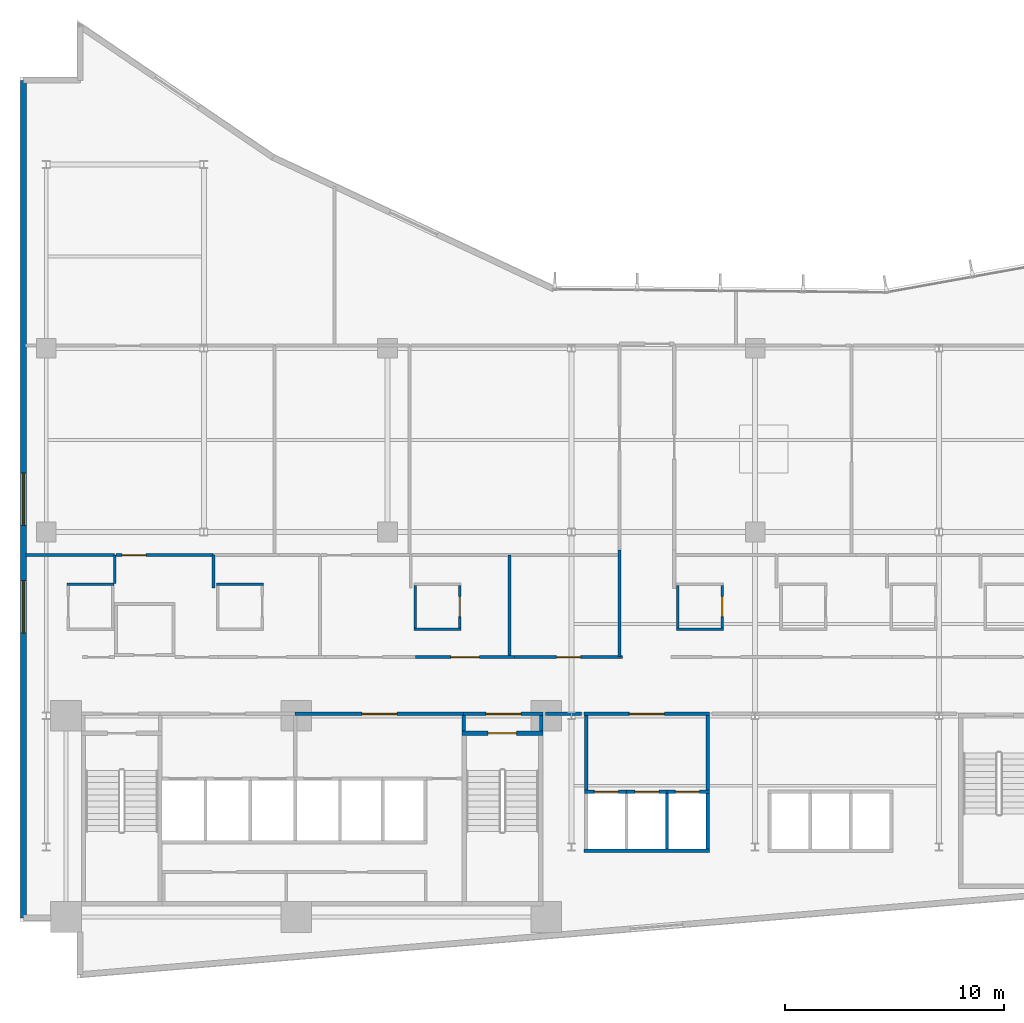
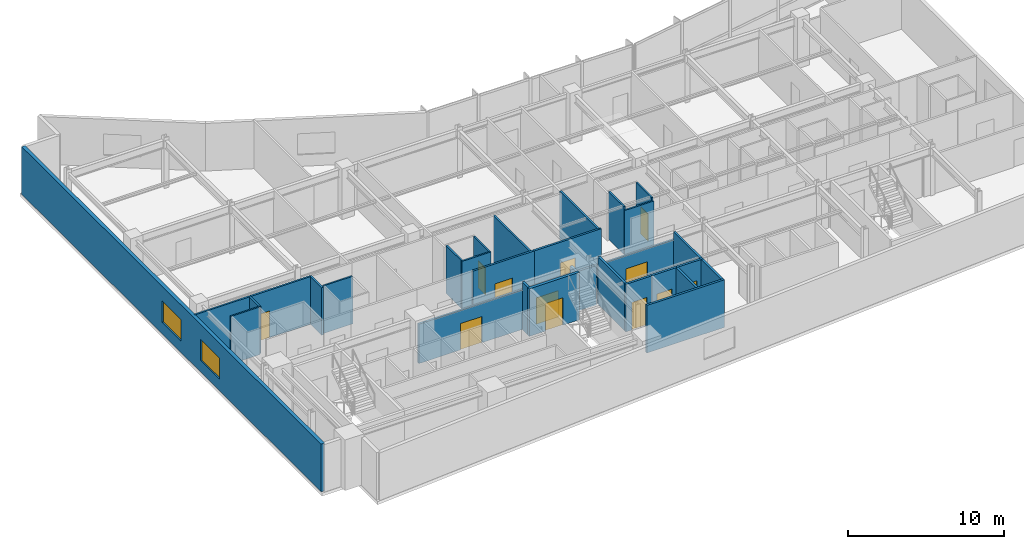
# One storey, part 11 of 19: 32 walls, 12 doors, 2 windows, 14 openings.
"""IFC4 building model written with IfcOpenShell, lengths in metres."""

from ifc_helpers import new_model, si_unit, direction, frame, frame_2d, origin, place, context, subcontext, project, spatial, rectangle, extrude, material, layer, layer_set, type_object, element, fill, save


model = new_model("IFC4")

# Units and contexts
model_context = context("Model", 3, precision=1e-05, world=origin(), true_north=direction((0.0, 1.0)))
body_context = subcontext(model_context, "Body", "Model", "MODEL_VIEW")
ifc_project = project(units=[si_unit("LENGTHUNIT", "METRE"), si_unit("AREAUNIT", "SQUARE_METRE"), si_unit("VOLUMEUNIT", "CUBIC_METRE"), si_unit("PLANEANGLEUNIT", "RADIAN"), si_unit("MASSUNIT", "GRAM", prefix="KILO")], contexts=[model_context])

# Site, building, storey
site_placement = place(None, origin())
site = spatial("IfcSite", under=ifc_project, at=site_placement, CompositionType="ELEMENT")
building_placement = place(site_placement, origin())
building = spatial("IfcBuilding", under=site, at=building_placement, Name="Varnakote Quay Hospital", CompositionType="ELEMENT")
storey_placement = place(building_placement, frame((0.0, 0.0, 54.10009765625)))
storey = spatial("IfcBuildingStorey", under=building, at=storey_placement, Name="L13", CompositionType="ELEMENT", Elevation=54.10009765625)

# Wall, opening, door
ifc_material_1 = material(Name="Fire-rated acoustic gypsum stud wall", Category="gypsum")
ifc_layer_1 = layer(ifc_material_1, 0.159912109375)
ifc_layer_set_1 = layer_set([ifc_layer_1], Name="Fire-rated acoustic gypsum stud wall")
wall_type_1 = type_object("IfcWallType", Name="WL-COMP-160", PredefinedType="PARTITIONING", material=ifc_layer_set_1)
wall_1_placement = place(storey_placement, frame((12.580078125, 12.080078125, 0.0), z_axis=(0.0, 0.0, 1.0), x_axis=(1.0, 0.0, 0.0)))
wall_1 = element("IfcWall", 1, at=wall_1_placement, inside=storey, type_object=wall_type_1, Name="L13 Clinical Bed Lift Lobby Wall", PredefinedType="PARTITIONING", context=body_context, shape_type="SweptSolid", body=[
    extrude(rectangle(XDim=7.699951171875, YDim=0.159912109375, at=frame_2d((3.85009765625, 0.0))), origin(), (0.0, 0.0, 1.0), 3.072998046875),
])
opening_1_placement = place(wall_1_placement, frame((3.050048828125, 0.0, 0.0)))
opening_1 = element("IfcOpeningElement", 2, at=opening_1_placement, cuts=wall_1, Name="Opening D-SVL-L13", PredefinedType="OPENING", context=body_context, shape_type="SweptSolid", body=[
    extrude(rectangle(XDim=1.60009765625, YDim=2.050048828125, at=frame_2d((0.800048828125, 1.02490234375))), frame((0.0, 0.08984375, 0.0), z_axis=(0.0, -1.0, 0.0), x_axis=(1.0, 0.0, 0.0)), (0.0, 0.0, 1.0), 0.179931640625),
])
ifc_material_2 = material(Name="Fire-rated double smoke lobby door")
door_type_1 = type_object("IfcDoorType", Name="DR-LOBBY-FD60S-1600x2150", OperationType="NOTDEFINED", PredefinedType="DOOR", material=ifc_material_2)
door_1_placement = place(opening_1_placement, origin())
door_1 = element("IfcDoor", 3, at=door_1_placement, inside=storey, type_object=door_type_1, Name="L13 Clinical Core Smoke Vestibule Door", OperationType="DOUBLE_DOOR_SINGLE_SWING", OverallHeight=2.050048828125, OverallWidth=1.60009765625, PredefinedType="DOOR", context=body_context, shape_type="SweptSolid", body=[
    extrude(rectangle(XDim=1.60009765625, YDim=2.050048828125, at=frame_2d((0.800048828125, 1.02490234375))), frame((0.0, 0.02490234375, 0.0), z_axis=(0.0, -1.0, 0.0), x_axis=(1.0, 0.0, 0.0)), (0.0, 0.0, 1.0), 0.050048828125),
])
fill(opening_1, door_1)

# Wall
wall_2_placement = place(storey_placement, frame((20.280029296875, 11.300048828125, 0.0), z_axis=(0.0, 0.0, 1.0), x_axis=(0.0, 1.0, 0.0)))
element("IfcWall", 4, at=wall_2_placement, inside=storey, type_object=wall_type_1, Name="L13 East Stair Vestibule Divider Wall", PredefinedType="PARTITIONING", context=body_context, shape_type="SweptSolid", body=[
    extrude(rectangle(XDim=0.699951171875, YDim=0.159912109375, at=frame_2d((0.35009765625, 0.0))), origin(), (0.0, 0.0, 1.0), 3.7099609375),
])

# Wall, opening, door
wall_3_placement = place(storey_placement, frame((20.280029296875, 12.080078125, 0.0), z_axis=(0.0, 0.0, 1.0), x_axis=(1.0, 0.0, 0.0)))
wall_3 = element("IfcWall", 5, at=wall_3_placement, inside=storey, type_object=wall_type_1, Name="L13 East Stair Vestibule Smoke Wall", PredefinedType="PARTITIONING", context=body_context, shape_type="SweptSolid", body=[
    extrude(rectangle(XDim=3.619873046875, YDim=0.159912109375, at=frame_2d((1.81005859375, 0.0))), origin(), (0.0, 0.0, 1.0), 3.072998046875),
])
opening_2_placement = place(wall_3_placement, frame((1.010009765625, 0.0, 0.0)))
opening_2 = element("IfcOpeningElement", 6, at=opening_2_placement, cuts=wall_3, Name="Opening D-ST2L-L13", PredefinedType="OPENING", context=body_context, shape_type="SweptSolid", body=[
    extrude(rectangle(XDim=1.60009765625, YDim=2.050048828125, at=frame_2d((0.800048828125, 1.02490234375))), frame((0.0, 0.08984375, 0.0), z_axis=(0.0, -1.0, 0.0), x_axis=(1.0, 0.0, 0.0)), (0.0, 0.0, 1.0), 0.179931640625),
])
door_2_placement = place(opening_2_placement, origin())
door_2 = element("IfcDoor", 7, at=door_2_placement, inside=storey, type_object=door_type_1, Name="L13 East Stair Vestibule Smoke Door", OperationType="DOUBLE_DOOR_SINGLE_SWING", OverallHeight=2.050048828125, OverallWidth=1.60009765625, PredefinedType="DOOR", context=body_context, shape_type="SweptSolid", body=[
    extrude(rectangle(XDim=1.60009765625, YDim=2.050048828125, at=frame_2d((0.800048828125, 1.02490234375))), frame((0.0, 0.02490234375, 0.0), z_axis=(0.0, -1.0, 0.0), x_axis=(1.0, 0.0, 0.0)), (0.0, 0.0, 1.0), 0.050048828125),
])
fill(opening_2, door_2)

# Walls
wall_4_placement = place(storey_placement, frame((23.820068359375, 11.300048828125, 0.0), z_axis=(0.0, 0.0, 1.0), x_axis=(0.0, 1.0, 0.0)))
element("IfcWall", 8, at=wall_4_placement, inside=storey, type_object=wall_type_1, Name="L13 East Stair Vestibule East Wall", PredefinedType="PARTITIONING", context=body_context, shape_type="SweptSolid", body=[
    extrude(rectangle(XDim=0.699951171875, YDim=0.159912109375, at=frame_2d((0.35009765625, 0.0))), origin(), (0.0, 0.0, 1.0), 3.7099609375),
])
for number, where, z_axis, x_axis, name in (
    (9, (25.8701171875, 8.610107421875, 0.0), (0.0, 0.0, 1.0), (0.0, 1.0, 0.0), "L13 Low-Rise Lift Lobby West Wall"),
    (10, (31.429931640625, 8.610107421875, 0.0), (0.0, 0.0, 1.0), (0.0, 1.0, 0.0), "L13 Low-Rise Lift Lobby East Wall"),
):
    element("IfcWall", number, at=place(storey_placement, frame(where, z_axis=z_axis, x_axis=x_axis)), inside=storey, type_object=wall_type_1, Name=name, PredefinedType="PARTITIONING", context=body_context, shape_type="SweptSolid", body=[
        extrude(rectangle(XDim=3.389892578125, YDim=0.159912109375, at=frame_2d((1.69482421875, 0.0))), origin(), (0.0, 0.0, 1.0), 3.7099609375),
    ])

# Wall, opening, door
wall_5_placement = place(storey_placement, frame((25.7900390625, 12.080078125, 0.0), z_axis=(0.0, 0.0, 1.0), x_axis=(1.0, 0.0, 0.0)))
wall_5 = element("IfcWall", 11, at=wall_5_placement, inside=storey, type_object=wall_type_1, Name="L13 Low-Rise Lift Lobby North Wall", PredefinedType="PARTITIONING", context=body_context, shape_type="SweptSolid", body=[
    extrude(rectangle(XDim=5.719970703125, YDim=0.159912109375, at=frame_2d((2.85986328125, 0.0))), origin(), (0.0, 0.0, 1.0), 3.072998046875),
])
opening_3_placement = place(wall_5_placement, frame((2.06005859375, 0.0, 0.0)))
opening_3 = element("IfcOpeningElement", 12, at=opening_3_placement, cuts=wall_5, Name="Opening D-PLL-L13", PredefinedType="OPENING", context=body_context, shape_type="SweptSolid", body=[
    extrude(rectangle(XDim=1.60009765625, YDim=2.050048828125, at=frame_2d((0.800048828125, 1.02490234375))), frame((0.0, 0.08984375, 0.0), z_axis=(0.0, -1.0, 0.0), x_axis=(1.0, 0.0, 0.0)), (0.0, 0.0, 1.0), 0.179931640625),
])
door_3_placement = place(opening_3_placement, origin())
door_3 = element("IfcDoor", 13, at=door_3_placement, inside=storey, type_object=door_type_1, Name="L13 Low-Rise Passenger Concourse Vestibule Door", OperationType="DOUBLE_DOOR_SINGLE_SWING", OverallHeight=2.050048828125, OverallWidth=1.60009765625, PredefinedType="DOOR", context=body_context, shape_type="SweptSolid", body=[
    extrude(rectangle(XDim=1.60009765625, YDim=2.050048828125, at=frame_2d((0.800048828125, 1.02490234375))), frame((0.0, 0.02490234375, 0.0), z_axis=(0.0, -1.0, 0.0), x_axis=(1.0, 0.0, 0.0)), (0.0, 0.0, 1.0), 0.050048828125),
])
fill(opening_3, door_3)

# Walls
wall_6_placement = place(storey_placement, frame((24.02001953125, 12.080078125, 0.0), z_axis=(0.0, 0.0, 1.0), x_axis=(1.0, 0.0, 0.0)))
element("IfcWall", 14, at=wall_6_placement, inside=storey, type_object=wall_type_1, Name="L13 Corridor South Gap Wall", PredefinedType="PARTITIONING", context=body_context, shape_type="SweptSolid", body=[
    extrude(rectangle(XDim=1.64990234375, YDim=0.159912109375, at=frame_2d((0.824951171875, 0.0))), origin(), (0.0, 0.0, 1.0), 3.072998046875),
])
ifc_material_3 = material(Name="Moisture-resistant bathroom partition", Category="gypsum")
ifc_layer_2 = layer(ifc_material_3, 0.114990234375)
ifc_layer_set_2 = layer_set([ifc_layer_2], Name="Moisture-resistant bathroom partition")
wall_type_2 = type_object("IfcWallType", Name="WL-ENS-115", PredefinedType="PARTITIONING", material=ifc_layer_set_2)
for number, where, z_axis, x_axis, name in (
    (15, (2.155029296875, 18.017578125, 0.0), (0.0, 0.0, 1.0), (1.0, 0.0, 0.0), "L13 Inpatient En-Suite Bathroom 01 N Wall"),
    (16, (8.985107421875, 18.017578125, 0.0), (0.0, 0.0, 1.0), (1.0, 0.0, 0.0), "L13 Inpatient En-Suite Bathroom 02 N Wall"),
):
    element("IfcWall", number, at=place(storey_placement, frame(where, z_axis=z_axis, x_axis=x_axis)), inside=storey, type_object=wall_type_2, Name=name, PredefinedType="PARTITIONING", context=body_context, shape_type="SweptSolid", body=[
        extrude(rectangle(XDim=2.14990234375, YDim=0.114990234375, at=frame_2d((1.074951171875, 0.0))), origin(), (0.0, 0.0, 1.0), 3.7099609375),
    ])
wall_7_placement = place(storey_placement, frame((18.0048828125, 15.952392578125, 0.0), z_axis=(0.0, 0.0, 1.0), x_axis=(1.0, 0.0, 0.0)))
element("IfcWall", 17, at=wall_7_placement, inside=storey, type_object=wall_type_2, Name="L13 Inpatient En-Suite Bathroom 03 S Wall", PredefinedType="PARTITIONING", context=body_context, shape_type="SweptSolid", body=[
    extrude(rectangle(XDim=2.150146484375, YDim=0.114990234375, at=frame_2d((1.0751953125, 0.0))), origin(), (0.0, 0.0, 1.0), 3.7099609375),
])
wall_8_placement = place(storey_placement, frame((18.0625, 16.010009765625, 0.0), z_axis=(0.0, 0.0, 1.0), x_axis=(0.0, 1.0, 0.0)))
element("IfcWall", 18, at=wall_8_placement, inside=storey, type_object=wall_type_2, Name="L13 Inpatient En-Suite Bathroom 03 W Wall", PredefinedType="PARTITIONING", context=body_context, shape_type="SweptSolid", body=[
    extrude(rectangle(XDim=1.949951171875, YDim=0.114990234375, at=frame_2d((0.97509765625, 0.0))), origin(), (0.0, 0.0, 1.0), 3.7099609375),
])

# Wall, opening, door
wall_9_placement = place(storey_placement, frame((20.097412109375, 16.010009765625, 0.0), z_axis=(0.0, 0.0, 1.0), x_axis=(0.0, 1.0, 0.0)))
wall_9 = element("IfcWall", 19, at=wall_9_placement, inside=storey, type_object=wall_type_2, Name="L13 Inpatient En-Suite Bathroom 03 E Wall", PredefinedType="PARTITIONING", context=body_context, shape_type="SweptSolid", body=[
    extrude(rectangle(XDim=1.949951171875, YDim=0.114990234375, at=frame_2d((0.97509765625, 0.0))), origin(), (0.0, 0.0, 1.0), 3.7099609375),
])
opening_4_placement = place(wall_9_placement, frame((0.514892578125, 0.0, 0.0)))
opening_4 = element("IfcOpeningElement", 20, at=opening_4_placement, cuts=wall_9, Name="Opening D-L13-ENS03", PredefinedType="OPENING", context=body_context, shape_type="SweptSolid", body=[
    extrude(rectangle(XDim=0.919921875, YDim=2.10009765625, at=frame_2d((0.4599609375, 1.050048828125))), frame((0.0, 0.0673828125, 0.0), z_axis=(0.0, -1.0, 0.0), x_axis=(1.0, 0.0, 0.0)), (0.0, 0.0, 1.0), 0.135009765625),
])
ifc_material_4 = material(Name="Moisture-sealed en-suite bathroom door")
door_type_2 = type_object("IfcDoorType", Name="DR-ENS-920x2100", OperationType="NOTDEFINED", PredefinedType="DOOR", material=ifc_material_4)
door_4_placement = place(opening_4_placement, origin())
door_4 = element("IfcDoor", 21, at=door_4_placement, inside=storey, type_object=door_type_2, Name="L13 Inpatient En-Suite Bathroom 03 Door", OperationType="SINGLE_SWING_RIGHT", OverallHeight=2.10009765625, OverallWidth=0.919921875, PredefinedType="DOOR", context=body_context, shape_type="SweptSolid", body=[
    extrude(rectangle(XDim=0.919921875, YDim=2.10009765625, at=frame_2d((0.4599609375, 1.050048828125))), frame((0.0, 0.02490234375, 0.0), z_axis=(0.0, -1.0, 0.0), x_axis=(1.0, 0.0, 0.0)), (0.0, 0.0, 1.0), 0.050048828125),
])
fill(opening_4, door_4)

# Walls
wall_10_placement = place(storey_placement, frame((30.0048828125, 15.952392578125, 0.0), z_axis=(0.0, 0.0, 1.0), x_axis=(1.0, 0.0, 0.0)))
element("IfcWall", 22, at=wall_10_placement, inside=storey, type_object=wall_type_2, Name="L13 Inpatient En-Suite Bathroom 04 S Wall", PredefinedType="PARTITIONING", context=body_context, shape_type="SweptSolid", body=[
    extrude(rectangle(XDim=2.150146484375, YDim=0.114990234375, at=frame_2d((1.0751953125, 0.0))), origin(), (0.0, 0.0, 1.0), 3.477783203125),
])
wall_11_placement = place(storey_placement, frame((30.0625, 16.010009765625, 0.0), z_axis=(0.0, 0.0, 1.0), x_axis=(0.0, 1.0, 0.0)))
element("IfcWall", 23, at=wall_11_placement, inside=storey, type_object=wall_type_2, Name="L13 Inpatient En-Suite Bathroom 04 W Wall", PredefinedType="PARTITIONING", context=body_context, shape_type="SweptSolid", body=[
    extrude(rectangle(XDim=1.949951171875, YDim=0.114990234375, at=frame_2d((0.97509765625, 0.0))), origin(), (0.0, 0.0, 1.0), 3.7099609375),
])

# Wall, opening, door
wall_12_placement = place(storey_placement, frame((32.097412109375, 16.010009765625, 0.0), z_axis=(0.0, 0.0, 1.0), x_axis=(0.0, 1.0, 0.0)))
wall_12 = element("IfcWall", 24, at=wall_12_placement, inside=storey, type_object=wall_type_2, Name="L13 Inpatient En-Suite Bathroom 04 E Wall", PredefinedType="PARTITIONING", context=body_context, shape_type="SweptSolid", body=[
    extrude(rectangle(XDim=1.949951171875, YDim=0.114990234375, at=frame_2d((0.97509765625, 0.0))), origin(), (0.0, 0.0, 1.0), 3.7099609375),
])
opening_5_placement = place(wall_12_placement, frame((0.514892578125, 0.0, 0.0)))
opening_5 = element("IfcOpeningElement", 25, at=opening_5_placement, cuts=wall_12, Name="Opening D-L13-ENS04", PredefinedType="OPENING", context=body_context, shape_type="SweptSolid", body=[
    extrude(rectangle(XDim=0.919921875, YDim=2.10009765625, at=frame_2d((0.4599609375, 1.050048828125))), frame((0.0, 0.0673828125, 0.0), z_axis=(0.0, -1.0, 0.0), x_axis=(1.0, 0.0, 0.0)), (0.0, 0.0, 1.0), 0.135009765625),
])
door_5_placement = place(opening_5_placement, origin())
door_5 = element("IfcDoor", 26, at=door_5_placement, inside=storey, type_object=door_type_2, Name="L13 Inpatient En-Suite Bathroom 04 Door", OperationType="SINGLE_SWING_LEFT", OverallHeight=2.10009765625, OverallWidth=0.919921875, PredefinedType="DOOR", context=body_context, shape_type="SweptSolid", body=[
    extrude(rectangle(XDim=0.919921875, YDim=2.10009765625, at=frame_2d((0.4599609375, 1.050048828125))), frame((0.0, 0.02490234375, 0.0), z_axis=(0.0, -1.0, 0.0), x_axis=(1.0, 0.0, 0.0)), (0.0, 0.0, 1.0), 0.050048828125),
])
fill(opening_5, door_5)

# Wall, openings, windows
ifc_material_5 = material(Name="Precast concrete N50 (f'c 50 MPa)", Category="concrete")
ifc_layer_3 = layer(ifc_material_5, 0.260009765625)
ifc_layer_set_3 = layer_set([ifc_layer_3], Name="Precast concrete N50 (f'c 50 MPa)")
wall_type_3 = type_object("IfcWallType", Name="WL-EXT-BRICK-260", PredefinedType="STANDARD", material=ifc_layer_set_3)
wall_13_placement = place(storey_placement, frame((0.159912109375, 41.0400390625, 0.0), z_axis=(0.0, 0.0, 1.0), x_axis=(0.0, -1.0, 0.0)))
wall_13 = element("IfcWall", 27, at=wall_13_placement, inside=storey, type_object=wall_type_3, Name="L13 Brick-Faced Precast Exterior Wall", PredefinedType="STANDARD", context=body_context, shape_type="SweptSolid", body=[
    extrude(rectangle(XDim=38.280029296875, YDim=0.260009765625, at=frame_2d((19.14013671875, 0.0))), origin(), (0.0, 0.0, 1.0), 3.7099609375),
])
opening_6_placement = place(wall_13_placement, frame((17.93994140625, 0.0, 0.89990234375)))
opening_6 = element("IfcOpeningElement", 28, at=opening_6_placement, cuts=wall_13, Name="Opening WN-0069", PredefinedType="OPENING", context=body_context, shape_type="SweptSolid", body=[
    extrude(rectangle(XDim=2.39990234375, YDim=1.64990234375, at=frame_2d((1.199951171875, 0.824951171875))), frame((0.0, 0.139892578125, 0.0), z_axis=(0.0, -1.0, 0.0), x_axis=(1.0, 0.0, 0.0)), (0.0, 0.0, 1.0), 0.280029296875),
])
opening_7_placement = place(wall_13_placement, frame((22.868896484375, 0.0, 0.89990234375)))
opening_7 = element("IfcOpeningElement", 29, at=opening_7_placement, cuts=wall_13, Name="Opening WN-0307", PredefinedType="OPENING", context=body_context, shape_type="SweptSolid", body=[
    extrude(rectangle(XDim=2.39990234375, YDim=1.64990234375, at=frame_2d((1.199951171875, 0.824951171875))), frame((0.0, 0.139892578125, 0.0), z_axis=(0.0, -1.0, 0.0), x_axis=(1.0, 0.0, 0.0)), (0.0, 0.0, 1.0), 0.280029296875),
])
ifc_material_6 = material(Name="Double-glazed low-E solar glass", Category="glass")
window_type = type_object("IfcWindowType", Name="WIN-CLIN-2400x1650", PartitioningType="SINGLE_PANEL", PredefinedType="WINDOW", material=ifc_material_6)
window_1_placement = place(opening_6_placement, origin())
window_1 = element("IfcWindow", 30, at=window_1_placement, inside=storey, type_object=window_type, Name="L13 Solar-Control Clinical Window", OverallHeight=1.64990234375, OverallWidth=2.39990234375, PartitioningType="SINGLE_PANEL", PredefinedType="WINDOW", context=body_context, shape_type="SweptSolid", body=[
    extrude(rectangle(XDim=2.39990234375, YDim=1.64990234375, at=frame_2d((1.199951171875, 0.824951171875))), frame((0.0, 0.030029296875, 0.0), z_axis=(0.0, -1.0, 0.0), x_axis=(1.0, 0.0, 0.0)), (0.0, 0.0, 1.0), 0.06005859375),
])
fill(opening_6, window_1)
window_2_placement = place(opening_7_placement, origin())
window_2 = element("IfcWindow", 31, at=window_2_placement, inside=storey, type_object=window_type, Name="L13 Solar-Control Clinical Window", OverallHeight=1.64990234375, OverallWidth=2.39990234375, PartitioningType="SINGLE_PANEL", PredefinedType="WINDOW", context=body_context, shape_type="SweptSolid", body=[
    extrude(rectangle(XDim=2.39990234375, YDim=1.64990234375, at=frame_2d((1.199951171875, 0.824951171875))), frame((0.0, 0.030029296875, 0.0), z_axis=(0.0, -1.0, 0.0), x_axis=(1.0, 0.0, 0.0)), (0.0, 0.0, 1.0), 0.06005859375),
])
fill(opening_7, window_2)

# Walls
ifc_material_7 = material(Name="Concrete N50 (f'c 50 MPa)", Category="concrete")
ifc_layer_4 = layer(ifc_material_7, 0.14990234375)
ifc_layer_set_4 = layer_set([ifc_layer_4], Name="Concrete N50 (f'c 50 MPa)")
wall_type_4 = type_object("IfcWallType", Name="WL-SHAFT-N50-150", PredefinedType="SHEAR", material=ifc_layer_set_4)
wall_14_placement = place(storey_placement, frame((29.574951171875, 5.89990234375, 0.0), z_axis=(0.0, 0.0, 1.0), x_axis=(0.0, 1.0, 0.0)))
element("IfcWall", 32, at=wall_14_placement, inside=storey, type_object=wall_type_4, Name="L13 LF-PL2 Hoistway Divider Wall", PredefinedType="SHEAR", context=body_context, shape_type="SweptSolid", body=[
    extrude(rectangle(XDim=2.550048828125, YDim=0.14990234375, at=frame_2d((1.27490234375, 0.0))), origin(), (0.0, 0.0, 1.0), 3.7099609375),
])
ifc_material_8 = material(Name="Concrete N50 (f'c 50 MPa)", Category="concrete")
ifc_layer_5 = layer(ifc_material_8, 0.159912109375)
ifc_layer_set_5 = layer_set([ifc_layer_5], Name="Concrete N50 (f'c 50 MPa)")
wall_type_5 = type_object("IfcWallType", Name="WL-SHAFT-N50-160", PredefinedType="SHEAR", material=ifc_layer_set_5)
wall_15_placement = place(storey_placement, frame((25.7900390625, 5.820068359375, 0.0), z_axis=(0.0, 0.0, 1.0), x_axis=(1.0, 0.0, 0.0)))
element("IfcWall", 33, at=wall_15_placement, inside=storey, type_object=wall_type_5, Name="L13 LOW Lift Bank Back Shear Wall", PredefinedType="SHEAR", context=body_context, shape_type="SweptSolid", body=[
    extrude(rectangle(XDim=5.719970703125, YDim=0.159912109375, at=frame_2d((2.85986328125, 0.0))), origin(), (0.0, 0.0, 1.0), 3.7099609375),
])
wall_16_placement = place(storey_placement, frame((31.429931640625, 5.89990234375, 0.0), z_axis=(0.0, 0.0, 1.0), x_axis=(0.0, 1.0, 0.0)))
element("IfcWall", 34, at=wall_16_placement, inside=storey, type_object=wall_type_5, Name="L13 LOW Lift Bank East Shear Wall", PredefinedType="SHEAR", context=body_context, shape_type="SweptSolid", body=[
    extrude(rectangle(XDim=2.550048828125, YDim=0.159912109375, at=frame_2d((1.27490234375, 0.0))), origin(), (0.0, 0.0, 1.0), 3.7099609375),
])

# Wall, opening, door
wall_17_placement = place(storey_placement, frame((25.7900390625, 8.530029296875, 0.0), z_axis=(0.0, 0.0, 1.0), x_axis=(1.0, 0.0, 0.0)))
wall_17 = element("IfcWall", 35, at=wall_17_placement, inside=storey, type_object=wall_type_5, Name="L13 LF-PL1 Hoistway Front Wall", PredefinedType="SHEAR", context=body_context, shape_type="SweptSolid", body=[
    extrude(rectangle(XDim=1.93505859375, YDim=0.159912109375, at=frame_2d((0.967529296875, 0.0))), origin(), (0.0, 0.0, 1.0), 3.7099609375),
])
opening_8_placement = place(wall_17_placement, frame((0.4599609375, 0.0, 0.0)))
opening_8 = element("IfcOpeningElement", 36, at=opening_8_placement, cuts=wall_17, Name="Opening LD-PL1-L13", PredefinedType="OPENING", context=body_context, shape_type="SweptSolid", body=[
    extrude(rectangle(XDim=1.10009765625, YDim=2.14990234375, at=frame_2d((0.550048828125, 1.074951171875))), frame((0.0, 0.08984375, 0.0), z_axis=(0.0, -1.0, 0.0), x_axis=(1.0, 0.0, 0.0)), (0.0, 0.0, 1.0), 0.179931640625),
])
ifc_material_9 = material(Name="Brushed bronze lift landing sliding door")
door_type_3 = type_object("IfcDoorType", Name="DR-LIFT-LD-1100x2150", OperationType="NOTDEFINED", PredefinedType="DOOR", material=ifc_material_9)
door_6_placement = place(opening_8_placement, origin())
door_6 = element("IfcDoor", 37, at=door_6_placement, inside=storey, type_object=door_type_3, Name="L13 LF-PL1 Lift Landing Sliding Door", OperationType="SLIDING_TO_LEFT", OverallHeight=2.14990234375, OverallWidth=1.10009765625, PredefinedType="DOOR", context=body_context, shape_type="SweptSolid", body=[
    extrude(rectangle(XDim=1.10009765625, YDim=2.14990234375, at=frame_2d((0.550048828125, 1.074951171875))), frame((0.0, 0.02490234375, 0.0), z_axis=(0.0, -1.0, 0.0), x_axis=(1.0, 0.0, 0.0)), (0.0, 0.0, 1.0), 0.050048828125),
])
fill(opening_8, door_6)

wall_18_placement = place(storey_placement, frame((27.72509765625, 8.530029296875, 0.0), z_axis=(0.0, 0.0, 1.0), x_axis=(1.0, 0.0, 0.0)))
wall_18 = element("IfcWall", 38, at=wall_18_placement, inside=storey, type_object=wall_type_5, Name="L13 LF-PL2 Hoistway Front Wall", PredefinedType="SHEAR", context=body_context, shape_type="SweptSolid", body=[
    extrude(rectangle(XDim=1.849853515625, YDim=0.159912109375, at=frame_2d((0.9248046875, 0.0))), origin(), (0.0, 0.0, 1.0), 3.7099609375),
])
opening_9_placement = place(wall_18_placement, frame((0.375, 0.0, 0.0)))
opening_9 = element("IfcOpeningElement", 39, at=opening_9_placement, cuts=wall_18, Name="Opening LD-PL2-L13", PredefinedType="OPENING", context=body_context, shape_type="SweptSolid", body=[
    extrude(rectangle(XDim=1.10009765625, YDim=2.14990234375, at=frame_2d((0.550048828125, 1.074951171875))), frame((0.0, 0.08984375, 0.0), z_axis=(0.0, -1.0, 0.0), x_axis=(1.0, 0.0, 0.0)), (0.0, 0.0, 1.0), 0.179931640625),
])
door_7_placement = place(opening_9_placement, origin())
door_7 = element("IfcDoor", 40, at=door_7_placement, inside=storey, type_object=door_type_3, Name="L13 LF-PL2 Lift Landing Sliding Door", OperationType="SLIDING_TO_LEFT", OverallHeight=2.14990234375, OverallWidth=1.10009765625, PredefinedType="DOOR", context=body_context, shape_type="SweptSolid", body=[
    extrude(rectangle(XDim=1.10009765625, YDim=2.14990234375, at=frame_2d((0.550048828125, 1.074951171875))), frame((0.0, 0.02490234375, 0.0), z_axis=(0.0, -1.0, 0.0), x_axis=(1.0, 0.0, 0.0)), (0.0, 0.0, 1.0), 0.050048828125),
])
fill(opening_9, door_7)

wall_19_placement = place(storey_placement, frame((29.574951171875, 8.530029296875, 0.0), z_axis=(0.0, 0.0, 1.0), x_axis=(1.0, 0.0, 0.0)))
wall_19 = element("IfcWall", 41, at=wall_19_placement, inside=storey, type_object=wall_type_5, Name="L13 LF-PL3 Hoistway Front Wall", PredefinedType="SHEAR", context=body_context, shape_type="SweptSolid", body=[
    extrude(rectangle(XDim=1.93505859375, YDim=0.159912109375, at=frame_2d((0.967529296875, 0.0))), origin(), (0.0, 0.0, 1.0), 3.7099609375),
])
opening_10_placement = place(wall_19_placement, frame((0.375, 0.0, 0.0)))
opening_10 = element("IfcOpeningElement", 42, at=opening_10_placement, cuts=wall_19, Name="Opening LD-PL3-L13", PredefinedType="OPENING", context=body_context, shape_type="SweptSolid", body=[
    extrude(rectangle(XDim=1.10009765625, YDim=2.14990234375, at=frame_2d((0.550048828125, 1.074951171875))), frame((0.0, 0.08984375, 0.0), z_axis=(0.0, -1.0, 0.0), x_axis=(1.0, 0.0, 0.0)), (0.0, 0.0, 1.0), 0.179931640625),
])
door_8_placement = place(opening_10_placement, origin())
door_8 = element("IfcDoor", 43, at=door_8_placement, inside=storey, type_object=door_type_3, Name="L13 LF-PL3 Lift Landing Sliding Door", OperationType="SLIDING_TO_LEFT", OverallHeight=2.14990234375, OverallWidth=1.10009765625, PredefinedType="DOOR", context=body_context, shape_type="SweptSolid", body=[
    extrude(rectangle(XDim=1.10009765625, YDim=2.14990234375, at=frame_2d((0.550048828125, 1.074951171875))), frame((0.0, 0.02490234375, 0.0), z_axis=(0.0, -1.0, 0.0), x_axis=(1.0, 0.0, 0.0)), (0.0, 0.0, 1.0), 0.050048828125),
])
fill(opening_10, door_8)

ifc_material_10 = material(Name="Concrete N50 (f'c 50 MPa)", Category="concrete")
ifc_layer_6 = layer(ifc_material_10, 0.199951171875)
ifc_layer_set_6 = layer_set([ifc_layer_6], Name="Concrete N50 (f'c 50 MPa)")
wall_type_6 = type_object("IfcWallType", Name="WL-SHAFT-N50-200", PredefinedType="SHEAR", material=ifc_layer_set_6)
wall_20_placement = place(storey_placement, frame((20.199951171875, 11.199951171875, 0.0), z_axis=(0.0, 0.0, 1.0), x_axis=(1.0, 0.0, 0.0)))
wall_20 = element("IfcWall", 44, at=wall_20_placement, inside=storey, type_object=wall_type_6, Name="L13 Stair ST2 Exit Wall", PredefinedType="SHEAR", context=body_context, shape_type="SweptSolid", body=[
    extrude(rectangle(XDim=3.699951171875, YDim=0.199951171875, at=frame_2d((1.85009765625, 0.0))), origin(), (0.0, 0.0, 1.0), 3.7099609375),
])
opening_11_placement = place(wall_20_placement, frame((1.199951171875, 0.0, 0.0)))
opening_11 = element("IfcOpeningElement", 45, at=opening_11_placement, cuts=wall_20, Name="Opening D-ST2-L13", PredefinedType="OPENING", context=body_context, shape_type="SweptSolid", body=[
    extrude(rectangle(XDim=1.300048828125, YDim=2.14990234375, at=frame_2d((0.64990234375, 1.074951171875))), frame((0.0, 0.10986328125, 0.0), z_axis=(0.0, -1.0, 0.0), x_axis=(1.0, 0.0, 0.0)), (0.0, 0.0, 1.0), 0.219970703125),
])
ifc_material_11 = material(Name="Fire-rated ceramic-glazed timber exit door", Category="wood")
door_type_4 = type_object("IfcDoorType", Name="DR-STAIR-FD60S-1300x2150", OperationType="NOTDEFINED", PredefinedType="DOOR", material=ifc_material_11)
door_9_placement = place(opening_11_placement, origin())
door_9 = element("IfcDoor", 46, at=door_9_placement, inside=storey, type_object=door_type_4, Name="L13 Stair ST2 Fire Exit Door", OperationType="SINGLE_SWING_RIGHT", OverallHeight=2.14990234375, OverallWidth=1.300048828125, PredefinedType="DOOR", context=body_context, shape_type="SweptSolid", body=[
    extrude(rectangle(XDim=1.300048828125, YDim=2.14990234375, at=frame_2d((0.64990234375, 1.074951171875))), frame((0.0, 0.02490234375, 0.0), z_axis=(0.0, -1.0, 0.0), x_axis=(1.0, 0.0, 0.0)), (0.0, 0.0, 1.0), 0.050048828125),
])
fill(opening_11, door_9)

# Walls
ifc_material_12 = material(Name="Smoke-proof clinical partition", Category="gypsum")
ifc_layer_7 = layer(ifc_material_12, 0.135009765625)
ifc_layer_set_7 = layer_set([ifc_layer_7], Name="Smoke-proof clinical partition")
wall_type_7 = type_object("IfcWallType", Name="WL-SMOKE-135", PredefinedType="PARTITIONING", material=ifc_layer_set_7)
wall_21_placement = place(storey_placement, frame((4.330078125, 18.0400390625, 0.0), z_axis=(0.0, 0.0, 1.0), x_axis=(0.0, 1.0, 0.0)))
element("IfcWall", 47, at=wall_21_placement, inside=storey, type_object=wall_type_7, Name="L13 Clinical Interior Partition", PredefinedType="PARTITIONING", context=body_context, shape_type="SweptSolid", body=[
    extrude(rectangle(XDim=1.300048828125, YDim=0.135009765625, at=frame_2d((0.64990234375, 0.0))), origin(), (0.0, 0.0, 1.0), 3.7099609375),
])
wall_22_placement = place(storey_placement, frame((4.330078125, 19.340087890625, 0.0), z_axis=(0.0, 0.0, 1.0), x_axis=(-1.0, 0.0, 0.0)))
element("IfcWall", 48, at=wall_22_placement, inside=storey, type_object=wall_type_7, Name="L13 Clinical Interior Partition", PredefinedType="PARTITIONING", context=body_context, shape_type="SweptSolid", body=[
    extrude(rectangle(XDim=4.090087890625, YDim=0.135009765625, at=frame_2d((2.044921875, 0.0))), origin(), (0.0, 0.0, 1.0), 3.7099609375),
])
wall_23_placement = place(storey_placement, frame((8.840087890625, 17.83251953125, 0.0), z_axis=(0.0, 0.0, 1.0), x_axis=(0.0, 1.0, 0.0)))
element("IfcWall", 49, at=wall_23_placement, inside=storey, type_object=wall_type_7, Name="L13 Clinical Interior Partition", PredefinedType="PARTITIONING", context=body_context, shape_type="SweptSolid", body=[
    extrude(rectangle(XDim=1.507568359375, YDim=0.135009765625, at=frame_2d((0.75390625, 0.0))), origin(), (0.0, 0.0, 1.0), 3.7099609375),
])

# Wall, opening, door
wall_24_placement = place(storey_placement, frame((8.840087890625, 19.340087890625, 0.0), z_axis=(0.0, 0.0, 1.0), x_axis=(-1.0, 0.0, 0.0)))
wall_24 = element("IfcWall", 50, at=wall_24_placement, inside=storey, type_object=wall_type_7, Name="L13 Clinical Interior Partition", PredefinedType="PARTITIONING", context=body_context, shape_type="SweptSolid", body=[
    extrude(rectangle(XDim=4.45263671875, YDim=0.135009765625, at=frame_2d((2.226318359375, 0.0))), origin(), (0.0, 0.0, 1.0), 3.7099609375),
])
opening_12_placement = place(wall_24_placement, frame((3.07861328125, 0.0, 0.0)))
opening_12 = element("IfcOpeningElement", 51, at=opening_12_placement, cuts=wall_24, Name="Opening D-L13-MD04", PredefinedType="OPENING", context=body_context, shape_type="SweptSolid", body=[
    extrude(rectangle(XDim=1.10009765625, YDim=2.10009765625, at=frame_2d((0.550048828125, 1.050048828125))), frame((0.0, 0.077392578125, 0.0), z_axis=(0.0, -1.0, 0.0), x_axis=(1.0, 0.0, 0.0)), (0.0, 0.0, 1.0), 0.155029296875),
])
ifc_material_13 = material(Name="Acoustic timber clinical consult door", Category="wood")
door_type_5 = type_object("IfcDoorType", Name="DR-CLIN-FD30S-1100x2100", OperationType="NOTDEFINED", PredefinedType="DOOR", material=ifc_material_13)
door_10_placement = place(opening_12_placement, origin())
door_10 = element("IfcDoor", 52, at=door_10_placement, inside=storey, type_object=door_type_5, Name="L13 Clinical Education Teaching Room Door", OperationType="SINGLE_SWING_LEFT", OverallHeight=2.10009765625, OverallWidth=1.10009765625, PredefinedType="DOOR", context=body_context, shape_type="SweptSolid", body=[
    extrude(rectangle(XDim=1.10009765625, YDim=2.10009765625, at=frame_2d((0.550048828125, 1.050048828125))), frame((0.0, 0.02490234375, 0.0), z_axis=(0.0, -1.0, 0.0), x_axis=(1.0, 0.0, 0.0)), (0.0, 0.0, 1.0), 0.050048828125),
])
fill(opening_12, door_10)

# Wall
wall_25_placement = place(storey_placement, frame((22.3701171875, 14.760009765625, 0.0), z_axis=(0.0, 0.0, 1.0), x_axis=(0.0, 1.0, 0.0)))
element("IfcWall", 53, at=wall_25_placement, inside=storey, type_object=wall_type_7, Name="L13 Clinical Interior Partition", PredefinedType="PARTITIONING", context=body_context, shape_type="SweptSolid", body=[
    extrude(rectangle(XDim=4.580078125, YDim=0.135009765625, at=frame_2d((2.2900390625, 0.0))), origin(), (0.0, 0.0, 1.0), 3.7099609375),
])

# Wall, opening, door
ifc_material_14 = material(Name="Fire-rated clinical gypsum partition", Category="gypsum")
ifc_layer_8 = layer(ifc_material_14, 0.14990234375)
ifc_layer_set_8 = layer_set([ifc_layer_8], Name="Fire-rated clinical gypsum partition")
wall_type_8 = type_object("IfcWallType", Name="WL-WARD-150", PredefinedType="PARTITIONING", material=ifc_layer_set_8)
wall_26_placement = place(storey_placement, frame((22.595947265625, 14.679931640625, 0.0), z_axis=(0.0, 0.0, 1.0), x_axis=(-1.0, 0.0, 0.0)))
wall_26 = element("IfcWall", 54, at=wall_26_placement, inside=storey, type_object=wall_type_8, Name="L13 Clinical Interior Partition", PredefinedType="PARTITIONING", context=body_context, shape_type="SweptSolid", body=[
    extrude(rectangle(XDim=4.508056640625, YDim=0.14990234375, at=frame_2d((2.25390625, 0.0))), origin(), (0.0, 0.0, 1.0), 3.7099609375),
])
opening_13_placement = place(wall_26_placement, frame((1.60400390625, 0.0, 0.0)))
opening_13 = element("IfcOpeningElement", 55, at=opening_13_placement, cuts=wall_26, Name="Opening D-L13-BR03", PredefinedType="OPENING", context=body_context, shape_type="SweptSolid", body=[
    extrude(rectangle(XDim=1.300048828125, YDim=2.14990234375, at=frame_2d((0.64990234375, 1.074951171875))), frame((0.0, 0.0849609375, 0.0), z_axis=(0.0, -1.0, 0.0), x_axis=(1.0, 0.0, 0.0)), (0.0, 0.0, 1.0), 0.169921875),
])
ifc_material_15 = material(Name="Solid-core timber clinical bed door", Category="wood")
door_type_6 = type_object("IfcDoorType", Name="DR-WARD-FD30S-1300x2150", OperationType="NOTDEFINED", PredefinedType="DOOR", material=ifc_material_15)
door_11_placement = place(opening_13_placement, origin())
door_11 = element("IfcDoor", 56, at=door_11_placement, inside=storey, type_object=door_type_6, Name="L13 Resident Care Bedroom 03 Door", OperationType="SINGLE_SWING_RIGHT", OverallHeight=2.14990234375, OverallWidth=1.300048828125, PredefinedType="DOOR", context=body_context, shape_type="SweptSolid", body=[
    extrude(rectangle(XDim=1.300048828125, YDim=2.14990234375, at=frame_2d((0.64990234375, 1.074951171875))), frame((0.0, 0.02490234375, 0.0), z_axis=(0.0, -1.0, 0.0), x_axis=(1.0, 0.0, 0.0)), (0.0, 0.0, 1.0), 0.050048828125),
])
fill(opening_13, door_11)

wall_27_placement = place(storey_placement, frame((27.5458984375, 14.679931640625, 0.0), z_axis=(0.0, 0.0, 1.0), x_axis=(-1.0, 0.0, 0.0)))
wall_27 = element("IfcWall", 57, at=wall_27_placement, inside=storey, type_object=wall_type_8, Name="L13 Clinical Interior Partition", PredefinedType="PARTITIONING", context=body_context, shape_type="SweptSolid", body=[
    extrude(rectangle(XDim=4.947998046875, YDim=0.14990234375, at=frame_2d((2.47412109375, 0.0))), origin(), (0.0, 0.0, 1.0), 3.7099609375),
])
opening_14_placement = place(wall_27_placement, frame((1.924072265625, 0.0, 0.0)))
opening_14 = element("IfcOpeningElement", 58, at=opening_14_placement, cuts=wall_27, Name="Opening D-L13-MD03", PredefinedType="OPENING", context=body_context, shape_type="SweptSolid", body=[
    extrude(rectangle(XDim=1.10009765625, YDim=2.10009765625, at=frame_2d((0.550048828125, 1.050048828125))), frame((0.0, 0.0849609375, 0.0), z_axis=(0.0, -1.0, 0.0), x_axis=(1.0, 0.0, 0.0)), (0.0, 0.0, 1.0), 0.169921875),
])
door_12_placement = place(opening_14_placement, origin())
door_12 = element("IfcDoor", 59, at=door_12_placement, inside=storey, type_object=door_type_5, Name="L13 Acute Telemetry Treatment Suite Door", OperationType="SINGLE_SWING_LEFT", OverallHeight=2.10009765625, OverallWidth=1.10009765625, PredefinedType="DOOR", context=body_context, shape_type="SweptSolid", body=[
    extrude(rectangle(XDim=1.10009765625, YDim=2.10009765625, at=frame_2d((0.550048828125, 1.050048828125))), frame((0.0, 0.02490234375, 0.0), z_axis=(0.0, -1.0, 0.0), x_axis=(1.0, 0.0, 0.0)), (0.0, 0.0, 1.0), 0.050048828125),
])
fill(opening_14, door_12)

# Wall
wall_28_placement = place(storey_placement, frame((27.39990234375, 19.56591796875, 0.0), z_axis=(0.0, 0.0, 1.0), x_axis=(0.0, -1.0, 0.0)))
element("IfcWall", 60, at=wall_28_placement, inside=storey, type_object=wall_type_8, Name="L13 Clinical Interior Partition", PredefinedType="PARTITIONING", context=body_context, shape_type="SweptSolid", body=[
    extrude(rectangle(XDim=4.865966796875, YDim=0.14990234375, at=frame_2d((2.43310546875, 0.0))), origin(), (0.0, 0.0, 1.0), 3.7099609375),
])

save(model, "model.ifc")
